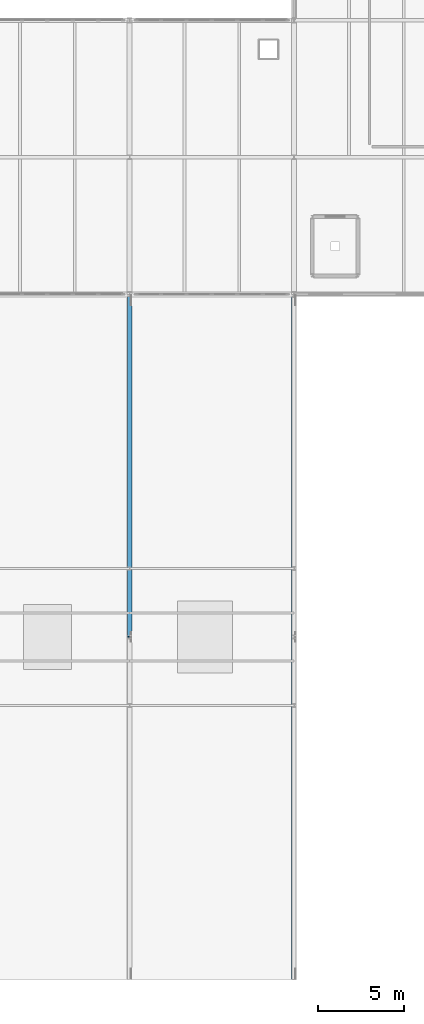
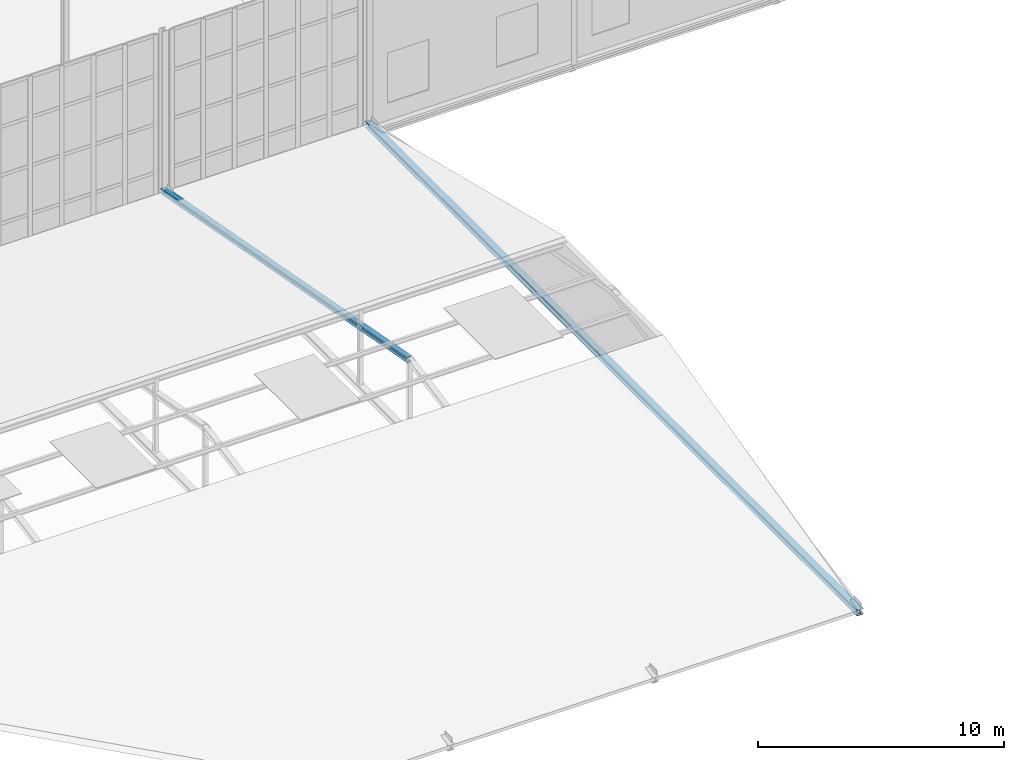
# One storey, part 33 of 73: 2 members.
"""IFC4 building model written with IfcOpenShell, lengths in metres."""

from ifc_helpers import new_model, si_unit, direction, frame, origin, origin_2d, place, context, subcontext, project, spatial, i_section, extrude, material, material_profile, profile_set, type_object, element, save


model = new_model("IFC4")

# Units and contexts
model_context = context("Model", 3, precision=1e-05, world=origin(), true_north=direction((0.0, 1.0)))
body_context = subcontext(model_context, "Body", "Model", "MODEL_VIEW")
ifc_project = project(units=[si_unit("LENGTHUNIT", "METRE"), si_unit("AREAUNIT", "SQUARE_METRE"), si_unit("VOLUMEUNIT", "CUBIC_METRE"), si_unit("PLANEANGLEUNIT", "RADIAN"), si_unit("MASSUNIT", "GRAM", prefix="KILO")], contexts=[model_context])

# Site, building, storey
site_placement = place(None, origin())
site = spatial("IfcSite", under=ifc_project, at=site_placement, CompositionType="ELEMENT")
building_placement = place(site_placement, origin())
building = spatial("IfcBuilding", under=site, at=building_placement, Name="Alderhovde Museum", CompositionType="ELEMENT")
storey_placement = place(building_placement, frame((0.0, 0.0, 17.39990234375)))
storey = spatial("IfcBuildingStorey", under=building, at=storey_placement, Name="L04", CompositionType="ELEMENT", Elevation=17.39990234375)

# Members
ifc_material_1 = material(Name="Steel S355J2", Category="steel")
ifc_material_profile_1 = material_profile(ifc_material_1, i_section(OverallWidth=0.260009765625, OverallDepth=0.25, WebThickness=0.007568359375, FlangeThickness=0.012451171875, FilletRadius=0.02392578125, at=origin_2d()), Name="HEA 260")
ifc_profile_set_1 = profile_set([ifc_material_profile_1], Name="Steel S355J2")
member_type_1 = type_object("IfcMemberType", Name="TR-CH-HEA260", PredefinedType="CHORD", material=ifc_profile_set_1)
member_1_placement = place(storey_placement, frame((105.60009765625, 72.0, 0.150146484375), z_axis=(0.0, -0.982872186934, 0.18428853505), x_axis=(1.0, 0.0, 0.0)))
element("IfcMember", 1, at=member_1_placement, inside=storey, type_object=member_type_1, Name="Atrium Truss X=105.6 North Rafter", PredefinedType="CHORD", context=body_context, shape_type="SweptSolid", body=[
    extrude(i_section(OverallWidth=0.260009765625, OverallDepth=0.25, WebThickness=0.007568359375, FlangeThickness=0.012451171875, FilletRadius=0.02392578125, at=origin_2d()), origin(), (0.0, 0.0, 1.0), 20.3486328125),
])
ifc_material_2 = material(Name="Steel S355J2", Category="steel")
ifc_material_profile_2 = material_profile(ifc_material_2, i_section(OverallWidth=0.300048828125, OverallDepth=0.2900390625, WebThickness=0.008544921875, FlangeThickness=0.013916015625, FilletRadius=0.027099609375, at=origin_2d()), Name="HEA 300")
ifc_profile_set_2 = profile_set([ifc_material_profile_2], Name="Steel S355J2")
member_type_2 = type_object("IfcMemberType", Name="TR-CH-HEA300", PredefinedType="CHORD", material=ifc_profile_set_2)
member_2_placement = place(storey_placement, frame((115.199951171875, 32.0, 0.1201171875), z_axis=(0.0, 1.0, 0.0), x_axis=(-1.0, 0.0, 0.0)))
element("IfcMember", 2, at=member_2_placement, inside=storey, type_object=member_type_2, Name="Atrium Truss X=115.2 Continuous Tie", PredefinedType="CHORD", context=body_context, shape_type="SweptSolid", body=[
    extrude(i_section(OverallWidth=0.300048828125, OverallDepth=0.2900390625, WebThickness=0.008544921875, FlangeThickness=0.013916015625, FilletRadius=0.027099609375, at=origin_2d()), origin(), (0.0, 0.0, 1.0), 40.0),
])

save(model, "model.ifc")
